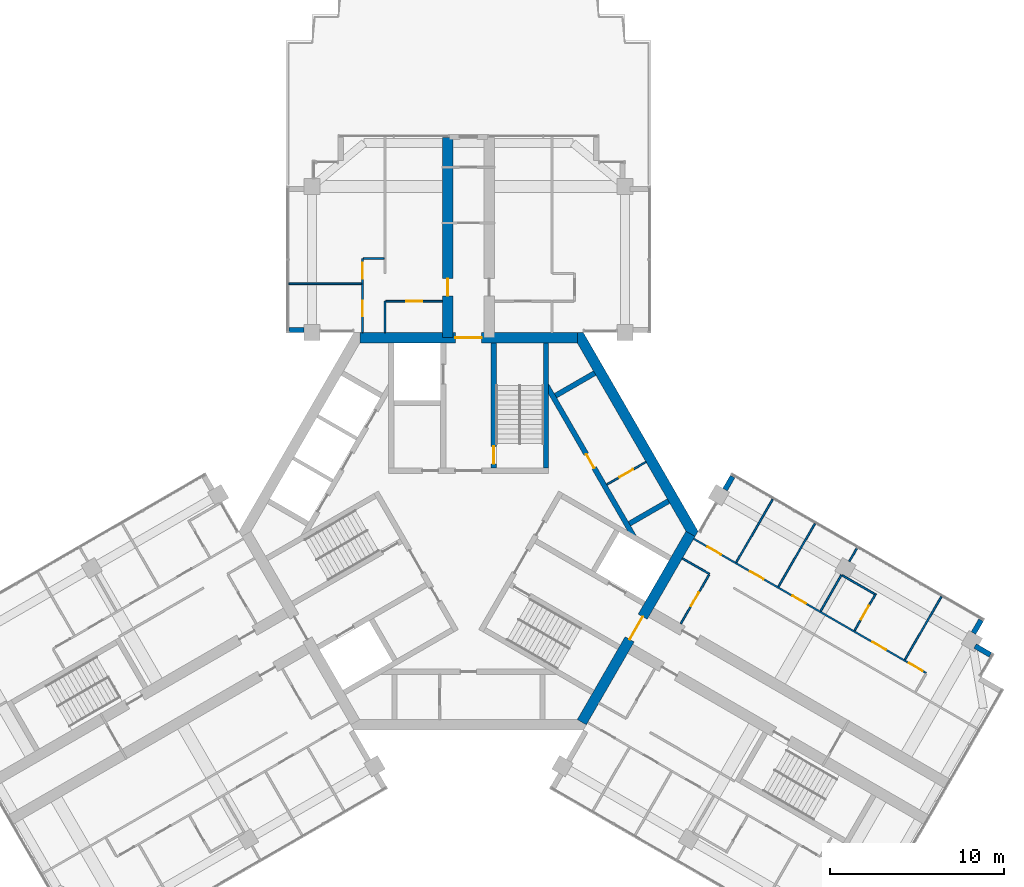
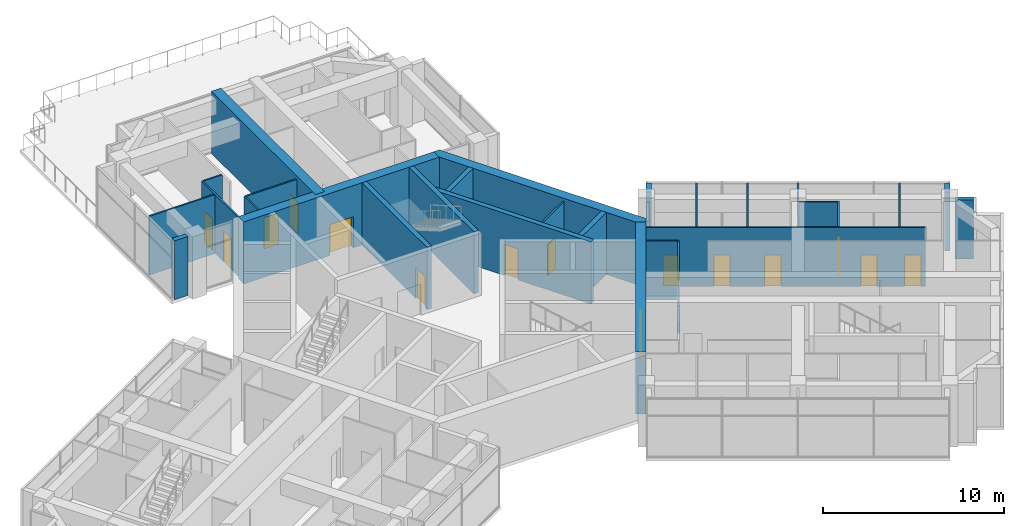
# One storey, part 13 of 15: 29 walls, 16 doors, 16 openings.
"""IFC4 building model written with IfcOpenShell, lengths in metres."""

from ifc_helpers import new_model, si_unit, direction, frame, frame_2d, origin, place, context, subcontext, project, spatial, polyline, rectangle, outline, extrude, material, layer, layer_set, type_object, element, fill, save


model = new_model("IFC4")

# Units and contexts
model_context = context("Model", 3, precision=1e-05, world=origin(), true_north=direction((0.0, 1.0)))
body_context = subcontext(model_context, "Body", "Model", "MODEL_VIEW")
ifc_project = project(units=[si_unit("LENGTHUNIT", "METRE"), si_unit("AREAUNIT", "SQUARE_METRE"), si_unit("VOLUMEUNIT", "CUBIC_METRE"), si_unit("PLANEANGLEUNIT", "RADIAN"), si_unit("MASSUNIT", "GRAM", prefix="KILO")], contexts=[model_context])

# Site, building, storey
site_placement = place(None, origin())
site = spatial("IfcSite", under=ifc_project, at=site_placement, CompositionType="ELEMENT")
building_placement = place(site_placement, origin())
building = spatial("IfcBuilding", under=site, at=building_placement, Name="Impinga Residences", CompositionType="ELEMENT")
storey_placement = place(building_placement, frame((0.0, 0.0, 274.75)))
storey = spatial("IfcBuildingStorey", under=building, at=storey_placement, Name="L69", CompositionType="ELEMENT", Elevation=274.75)

# Wall, opening, door
ifc_material_1 = material(Name="Concrete C60/75", Category="concrete")
ifc_layer_1 = layer(ifc_material_1, 0.60009765625)
ifc_layer_set_1 = layer_set([ifc_layer_1], Name="Concrete C60/75")
wall_type_1 = type_object("IfcWallType", Name="BW3 corridor buttress wall, L46 to L73 600", PredefinedType="SHEAR", material=ifc_layer_set_1)
wall_1_placement = place(storey_placement, frame((-1.199951171875, 11.131591796875, 0.0), z_axis=(0.0, 0.0, 1.0), x_axis=(0.0, 1.0, 0.0)))
wall_1 = element("IfcWall", 1, at=wall_1_placement, inside=storey, type_object=wall_type_1, Name="Corridor wall BW3 NC L69", PredefinedType="SHEAR", context=body_context, shape_type="SweptSolid", body=[
    extrude(rectangle(XDim=11.517822265625, YDim=0.60009765625, at=frame_2d((5.7587890625, 0.0))), origin(), (0.0, 0.0, 1.0), 4.199951171875),
])
opening_1_placement = place(wall_1_placement, frame((2.39990234375, 0.0, 0.0)))
opening_1 = element("IfcOpeningElement", 2, at=opening_1_placement, cuts=wall_1, Name="Opening D1", PredefinedType="OPENING", context=body_context, shape_type="SweptSolid", body=[
    extrude(rectangle(XDim=1.0, YDim=2.10009765625, at=frame_2d((0.5, 1.050048828125))), frame((0.0, 0.31005859375, 0.0), z_axis=(0.0, -1.0, 0.0), x_axis=(1.0, 0.0, 0.0)), (0.0, 0.0, 1.0), 0.6201171875),
])
ifc_material_2 = material(Name="Timber door set", Category="wood")
door_type_1 = type_object("IfcDoorType", Name="D1 apartment entrance door 1000x2100", OperationType="SINGLE_SWING_LEFT", PredefinedType="DOOR", material=ifc_material_2)
door_1_placement = place(opening_1_placement, origin())
door_1 = element("IfcDoor", 3, at=door_1_placement, inside=storey, type_object=door_type_1, Name="Apartment L69-NA1 entrance", OperationType="SINGLE_SWING_LEFT", OverallHeight=2.10009765625, OverallWidth=1.0, PredefinedType="DOOR", context=body_context, shape_type="SweptSolid", body=[
    extrude(rectangle(XDim=1.0, YDim=2.10009765625, at=frame_2d((0.5, 1.050048828125))), frame((0.0, 0.02490234375, 0.0), z_axis=(0.0, -1.0, 0.0), x_axis=(1.0, 0.0, 0.0)), (0.0, 0.0, 1.0), 0.050048828125),
])
fill(opening_1, door_1)

ifc_material_3 = material(Name="Concrete blockwork", Category="masonry")
ifc_layer_2 = layer(ifc_material_3, 0.10009765625)
ifc_layer_set_2 = layer_set([ifc_layer_2], Name="CP1 core room partition, blockwork 100")
wall_type_2 = type_object("IfcWallType", Name="CP1 core room partition, blockwork 100", PredefinedType="PARTITIONING", material=ifc_layer_set_2)
wall_2_placement = place(storey_placement, frame((7.95361328125, 2.686767578125, 0.0), z_axis=(0.0, 0.0, 1.0), x_axis=(0.866021400173, 0.500006934395, 0.0)))
wall_2 = element("IfcWall", 4, at=wall_2_placement, inside=storey, type_object=wall_type_2, Name="Core room partition, blockwork L69:CORE:mid:ZP1", PredefinedType="PARTITIONING", context=body_context, shape_type="SweptSolid", body=[
    extrude(rectangle(XDim=2.60009765625, YDim=0.10009765625, at=frame_2d((1.300048828125, 0.0))), origin(), (0.0, 0.0, 1.0), 3.97998046875),
])
opening_2_placement = place(wall_2_placement, frame((0.85009765625, 0.0, 0.0)))
opening_2 = element("IfcOpeningElement", 5, at=opening_2_placement, cuts=wall_2, Name="Opening D6", PredefinedType="OPENING", context=body_context, shape_type="SweptSolid", body=[
    extrude(rectangle(XDim=0.89990234375, YDim=2.10009765625, at=frame_2d((0.449951171875, 1.050048828125))), frame((0.0, 0.06005859375, 0.0), z_axis=(0.0, -1.0, 0.0), x_axis=(1.0, 0.0, 0.0)), (0.0, 0.0, 1.0), 0.1201171875),
])
door_type_2 = type_object("IfcDoorType", Name="D6 riser and store door 900x2100", OperationType="SINGLE_SWING_LEFT", PredefinedType="DOOR", material=ifc_material_2)
door_2_placement = place(opening_2_placement, origin())
door_2 = element("IfcDoor", 6, at=door_2_placement, inside=storey, type_object=door_type_2, Name="Linen store door", OperationType="SINGLE_SWING_LEFT", OverallHeight=2.10009765625, OverallWidth=0.89990234375, PredefinedType="DOOR", context=body_context, shape_type="SweptSolid", body=[
    extrude(rectangle(XDim=0.89990234375, YDim=2.10009765625, at=frame_2d((0.449951171875, 1.050048828125))), frame((0.0, 0.02490234375, 0.0), z_axis=(0.0, -1.0, 0.0), x_axis=(1.0, 0.0, 0.0)), (0.0, 0.0, 1.0), 0.050048828125),
])
fill(opening_2, door_2)

# Walls
ifc_material_4 = material(Name="Stone facing on blockwork", Category="masonry")
ifc_layer_3 = layer(ifc_material_4, 0.300048828125)
ifc_layer_set_3 = layer_set([ifc_layer_3], Name="EW2 external wall, stone facing on blockwork 300")
wall_type_3 = type_object("IfcWallType", Name="EW2 external wall, stone facing on blockwork 300", PredefinedType="SOLIDWALL", material=ifc_layer_set_3)
for number, where, z_axis, x_axis, name in (
    (7, (-9.452880859375, 11.58154296875, 0.0), (0.0, 0.0, 1.0), (-1.0, 0.0, 0.0), "External wall EW2 L69"),
    (8, (14.75634765625, 2.395751953125, 0.0), (0.0, 0.0, 1.0), (0.500098305348, 0.865968639725, 0.0), "External wall EW2 L69"),
    (9, (29.476806640625, -5.107666015625, 0.0), (0.0, 0.0, 1.0), (-0.499885902046, -0.866091268248, 0.0), "External wall EW2 L69"),
):
    element("IfcWall", number, at=place(storey_placement, frame(where, z_axis=z_axis, x_axis=x_axis)), inside=storey, type_object=wall_type_3, Name=name, PredefinedType="SOLIDWALL", context=body_context, shape_type="SweptSolid", body=[
        extrude(rectangle(XDim=0.862060546875, YDim=0.300048828125, at=frame_2d((0.43115234375, 0.0))), origin(), (0.0, 0.0, 1.0), 3.97998046875),
    ])
wall_3_placement = place(storey_placement, frame((29.134033203125, -6.6015625, 0.0), z_axis=(0.0, 0.0, 1.0), x_axis=(0.866073420066, -0.499916824138, 0.0)))
element("IfcWall", 10, at=wall_3_placement, inside=storey, type_object=wall_type_3, Name="External wall EW2 L69", PredefinedType="SOLIDWALL", context=body_context, shape_type="SweptSolid", body=[
    extrude(rectangle(XDim=1.014892578125, YDim=0.300048828125, at=frame_2d((0.50732421875, 0.0))), origin(), (0.0, 0.0, 1.0), 3.97998046875),
])
ifc_material_5 = material(Name="Gypsum board on steel studs", Category="steel")
ifc_layer_4 = layer(ifc_material_5, 0.10009765625)
ifc_layer_set_4 = layer_set([ifc_layer_4], Name="Gypsum board on steel studs")
wall_type_4 = type_object("IfcWallType", Name="IP1 partition 100", PredefinedType="PARTITIONING", material=ifc_layer_set_4)
wall_4_placement = place(storey_placement, frame((-4.800048828125, 11.431640625, 0.0), z_axis=(0.0, 0.0, 1.0), x_axis=(0.0, 1.0, 0.0)))
element("IfcWall", 11, at=wall_4_placement, inside=storey, type_object=wall_type_4, Name="Partition L69-NA1:DIV0", PredefinedType="PARTITIONING", context=body_context, shape_type="SweptSolid", body=[
    extrude(rectangle(XDim=1.7998046875, YDim=0.10009765625, at=frame_2d((0.89990234375, 0.0))), origin(), (0.0, 0.0, 1.0), 3.97998046875),
])

# Wall, openings, doors
wall_5_placement = place(storey_placement, frame((-6.10009765625, 11.431640625, 0.0), z_axis=(0.0, 0.0, 1.0), x_axis=(0.0, 1.0, 0.0)))
wall_5 = element("IfcWall", 12, at=wall_5_placement, inside=storey, type_object=wall_type_4, Name="Partition L69-NA1:STRIP", PredefinedType="PARTITIONING", context=body_context, shape_type="SweptSolid", body=[
    extrude(rectangle(XDim=4.25, YDim=0.10009765625, at=frame_2d((2.125, 0.0))), origin(), (0.0, 0.0, 1.0), 3.97998046875),
])
opening_3_placement = place(wall_5_placement, frame((0.925048828125, 0.0, 0.0)))
opening_3 = element("IfcOpeningElement", 13, at=opening_3_placement, cuts=wall_5, Name="Opening D2", PredefinedType="OPENING", context=body_context, shape_type="SweptSolid", body=[
    extrude(rectangle(XDim=0.89990234375, YDim=2.10009765625, at=frame_2d((0.449951171875, 1.050048828125))), frame((0.0, 0.06005859375, 0.0), z_axis=(0.0, -1.0, 0.0), x_axis=(1.0, 0.0, 0.0)), (0.0, 0.0, 1.0), 0.1201171875),
])
opening_4_placement = place(wall_5_placement, frame((3.10009765625, 0.0, 0.0)))
opening_4 = element("IfcOpeningElement", 14, at=opening_4_placement, cuts=wall_5, Name="Opening D2", PredefinedType="OPENING", context=body_context, shape_type="SweptSolid", body=[
    extrude(rectangle(XDim=0.89990234375, YDim=2.10009765625, at=frame_2d((0.449951171875, 1.050048828125))), frame((0.0, 0.06005859375, 0.0), z_axis=(0.0, -1.0, 0.0), x_axis=(1.0, 0.0, 0.0)), (0.0, 0.0, 1.0), 0.1201171875),
])
door_type_3 = type_object("IfcDoorType", Name="D2 internal door 900x2100", OperationType="SINGLE_SWING_LEFT", PredefinedType="DOOR", material=ifc_material_2)
door_3_placement = place(opening_3_placement, origin())
door_3 = element("IfcDoor", 15, at=door_3_placement, inside=storey, type_object=door_type_3, Name="Apartment L69-NA1 room door", OperationType="SINGLE_SWING_LEFT", OverallHeight=2.10009765625, OverallWidth=0.89990234375, PredefinedType="DOOR", context=body_context, shape_type="SweptSolid", body=[
    extrude(rectangle(XDim=0.89990234375, YDim=2.10009765625, at=frame_2d((0.449951171875, 1.050048828125))), frame((0.0, 0.02490234375, 0.0), z_axis=(0.0, -1.0, 0.0), x_axis=(1.0, 0.0, 0.0)), (0.0, 0.0, 1.0), 0.050048828125),
])
fill(opening_3, door_3)
door_4_placement = place(opening_4_placement, origin())
door_4 = element("IfcDoor", 16, at=door_4_placement, inside=storey, type_object=door_type_3, Name="Apartment L69-NA1 room door", OperationType="SINGLE_SWING_RIGHT", OverallHeight=2.10009765625, OverallWidth=0.89990234375, PredefinedType="DOOR", context=body_context, shape_type="SweptSolid", body=[
    extrude(rectangle(XDim=0.89990234375, YDim=2.10009765625, at=frame_2d((0.449951171875, 1.050048828125))), frame((0.0, 0.02490234375, 0.0), z_axis=(0.0, -1.0, 0.0), x_axis=(1.0, 0.0, 0.0)), (0.0, 0.0, 1.0), 0.050048828125),
])
fill(opening_4, door_4)

# Wall
wall_6_placement = place(storey_placement, frame((-4.85009765625, 15.681640625, 0.0), z_axis=(0.0, 0.0, 1.0), x_axis=(-1.0, 0.0, 0.0)))
element("IfcWall", 17, at=wall_6_placement, inside=storey, type_object=wall_type_4, Name="Partition L69-NA1:SE1", PredefinedType="PARTITIONING", context=body_context, shape_type="SweptSolid", body=[
    extrude(rectangle(XDim=1.199951171875, YDim=0.10009765625, at=frame_2d((0.60009765625, 0.0))), origin(), (0.0, 0.0, 1.0), 3.97998046875),
])

# Wall, opening, door
wall_7_placement = place(storey_placement, frame((-1.5, 13.2314453125, 0.0), z_axis=(0.0, 0.0, 1.0), x_axis=(-1.0, 0.0, 0.0)))
wall_7 = element("IfcWall", 18, at=wall_7_placement, inside=storey, type_object=wall_type_4, Name="Partition L69-NA1:IB1", PredefinedType="PARTITIONING", context=body_context, shape_type="SweptSolid", body=[
    extrude(rectangle(XDim=3.25, YDim=0.10009765625, at=frame_2d((1.625, 0.0))), origin(), (0.0, 0.0, 1.0), 3.97998046875),
])
opening_5_placement = place(wall_7_placement, frame((1.175048828125, 0.0, 0.0)))
opening_5 = element("IfcOpeningElement", 19, at=opening_5_placement, cuts=wall_7, Name="Opening D2", PredefinedType="OPENING", context=body_context, shape_type="SweptSolid", body=[
    extrude(rectangle(XDim=0.89990234375, YDim=2.10009765625, at=frame_2d((0.449951171875, 1.050048828125))), frame((0.0, 0.06005859375, 0.0), z_axis=(0.0, -1.0, 0.0), x_axis=(1.0, 0.0, 0.0)), (0.0, 0.0, 1.0), 0.1201171875),
])
door_5_placement = place(opening_5_placement, origin())
door_5 = element("IfcDoor", 20, at=door_5_placement, inside=storey, type_object=door_type_3, Name="Apartment L69-NA1 bathroom door", OperationType="SINGLE_SWING_LEFT", OverallHeight=2.10009765625, OverallWidth=0.89990234375, PredefinedType="DOOR", context=body_context, shape_type="SweptSolid", body=[
    extrude(rectangle(XDim=0.89990234375, YDim=2.10009765625, at=frame_2d((0.449951171875, 1.050048828125))), frame((0.0, 0.02490234375, 0.0), z_axis=(0.0, -1.0, 0.0), x_axis=(1.0, 0.0, 0.0)), (0.0, 0.0, 1.0), 0.050048828125),
])
fill(opening_5, door_5)

# Walls
wall_8_placement = place(storey_placement, frame((-6.14990234375, 14.2314453125, 0.0), z_axis=(0.0, 0.0, 1.0), x_axis=(-1.0, 0.0, 0.0)))
element("IfcWall", 21, at=wall_8_placement, inside=storey, type_object=wall_type_4, Name="Partition L69-NA1:OB1", PredefinedType="PARTITIONING", context=body_context, shape_type="SweptSolid", body=[
    extrude(rectangle(XDim=4.18701171875, YDim=0.10009765625, at=frame_2d((2.093505859375, 0.0))), origin(), (0.0, 0.0, 1.0), 3.97998046875),
])
wall_9_placement = place(storey_placement, frame((12.300048828125, -1.558837890625, 0.0), z_axis=(0.0, 0.0, 1.0), x_axis=(0.866047807691, -0.499961193289, 0.0)))
element("IfcWall", 22, at=wall_9_placement, inside=storey, type_object=wall_type_4, Name="Partition L69-EA1:DIV0", PredefinedType="PARTITIONING", context=body_context, shape_type="SweptSolid", body=[
    extrude(rectangle(XDim=1.800048828125, YDim=0.10009765625, at=frame_2d((0.89990234375, 0.0))), origin(), (0.0, 0.0, 1.0), 3.97998046875),
])

# Wall, openings, doors
wall_10_placement = place(storey_placement, frame((12.949951171875, -0.43310546875, 0.0), z_axis=(0.0, 0.0, 1.0), x_axis=(0.866030066916, -0.499991923133, 0.0)))
wall_10 = element("IfcWall", 23, at=wall_10_placement, inside=storey, type_object=wall_type_4, Name="Partition L69-EA1:STRIP", PredefinedType="PARTITIONING", context=body_context, shape_type="SweptSolid", body=[
    extrude(rectangle(XDim=15.449951171875, YDim=0.10009765625, at=frame_2d((7.72509765625, 0.0))), origin(), (0.0, 0.0, 1.0), 3.97998046875),
])
opening_6_placement = place(wall_10_placement, frame((0.925048828125, 0.0, 0.0)))
opening_6 = element("IfcOpeningElement", 24, at=opening_6_placement, cuts=wall_10, Name="Opening D2", PredefinedType="OPENING", context=body_context, shape_type="SweptSolid", body=[
    extrude(rectangle(XDim=0.89990234375, YDim=2.10009765625, at=frame_2d((0.449951171875, 1.050048828125))), frame((0.0, 0.06005859375, 0.0), z_axis=(0.0, -1.0, 0.0), x_axis=(1.0, 0.0, 0.0)), (0.0, 0.0, 1.0), 0.1201171875),
])
opening_7_placement = place(wall_10_placement, frame((3.75, 0.0, 0.0)))
opening_7 = element("IfcOpeningElement", 25, at=opening_7_placement, cuts=wall_10, Name="Opening D2", PredefinedType="OPENING", context=body_context, shape_type="SweptSolid", body=[
    extrude(rectangle(XDim=0.89990234375, YDim=2.10009765625, at=frame_2d((0.449951171875, 1.050048828125))), frame((0.0, 0.06005859375, 0.0), z_axis=(0.0, -1.0, 0.0), x_axis=(1.0, 0.0, 0.0)), (0.0, 0.0, 1.0), 0.1201171875),
])
opening_8_placement = place(wall_10_placement, frame((6.550048828125, 0.0, 0.0)))
opening_8 = element("IfcOpeningElement", 26, at=opening_8_placement, cuts=wall_10, Name="Opening D2", PredefinedType="OPENING", context=body_context, shape_type="SweptSolid", body=[
    extrude(rectangle(XDim=0.89990234375, YDim=2.10009765625, at=frame_2d((0.449951171875, 1.050048828125))), frame((0.0, 0.06005859375, 0.0), z_axis=(0.0, -1.0, 0.0), x_axis=(1.0, 0.0, 0.0)), (0.0, 0.0, 1.0), 0.1201171875),
])
opening_9_placement = place(wall_10_placement, frame((11.875, 0.0, 0.0)))
opening_9 = element("IfcOpeningElement", 27, at=opening_9_placement, cuts=wall_10, Name="Opening D2", PredefinedType="OPENING", context=body_context, shape_type="SweptSolid", body=[
    extrude(rectangle(XDim=0.89990234375, YDim=2.10009765625, at=frame_2d((0.449951171875, 1.050048828125))), frame((0.0, 0.06005859375, 0.0), z_axis=(0.0, -1.0, 0.0), x_axis=(1.0, 0.0, 0.0)), (0.0, 0.0, 1.0), 0.1201171875),
])
opening_10_placement = place(wall_10_placement, frame((14.300048828125, 0.0, 0.0)))
opening_10 = element("IfcOpeningElement", 28, at=opening_10_placement, cuts=wall_10, Name="Opening D2", PredefinedType="OPENING", context=body_context, shape_type="SweptSolid", body=[
    extrude(rectangle(XDim=0.89990234375, YDim=2.10009765625, at=frame_2d((0.449951171875, 1.050048828125))), frame((0.0, 0.06005859375, 0.0), z_axis=(0.0, -1.0, 0.0), x_axis=(1.0, 0.0, 0.0)), (0.0, 0.0, 1.0), 0.1201171875),
])
door_6_placement = place(opening_6_placement, origin())
door_6 = element("IfcDoor", 29, at=door_6_placement, inside=storey, type_object=door_type_3, Name="Apartment L69-EA1 room door", OperationType="SINGLE_SWING_LEFT", OverallHeight=2.10009765625, OverallWidth=0.89990234375, PredefinedType="DOOR", context=body_context, shape_type="SweptSolid", body=[
    extrude(rectangle(XDim=0.89990234375, YDim=2.10009765625, at=frame_2d((0.449951171875, 1.050048828125))), frame((0.0, 0.02490234375, 0.0), z_axis=(0.0, -1.0, 0.0), x_axis=(1.0, 0.0, 0.0)), (0.0, 0.0, 1.0), 0.050048828125),
])
fill(opening_6, door_6)
door_7_placement = place(opening_7_placement, origin())
door_7 = element("IfcDoor", 30, at=door_7_placement, inside=storey, type_object=door_type_3, Name="Apartment L69-EA1 room door", OperationType="SINGLE_SWING_LEFT", OverallHeight=2.10009765625, OverallWidth=0.89990234375, PredefinedType="DOOR", context=body_context, shape_type="SweptSolid", body=[
    extrude(rectangle(XDim=0.89990234375, YDim=2.10009765625, at=frame_2d((0.449951171875, 1.050048828125))), frame((0.0, 0.02490234375, 0.0), z_axis=(0.0, -1.0, 0.0), x_axis=(1.0, 0.0, 0.0)), (0.0, 0.0, 1.0), 0.050048828125),
])
fill(opening_7, door_7)
door_8_placement = place(opening_8_placement, origin())
door_8 = element("IfcDoor", 31, at=door_8_placement, inside=storey, type_object=door_type_3, Name="Apartment L69-EA1 room door", OperationType="SINGLE_SWING_LEFT", OverallHeight=2.10009765625, OverallWidth=0.89990234375, PredefinedType="DOOR", context=body_context, shape_type="SweptSolid", body=[
    extrude(rectangle(XDim=0.89990234375, YDim=2.10009765625, at=frame_2d((0.449951171875, 1.050048828125))), frame((0.0, 0.02490234375, 0.0), z_axis=(0.0, -1.0, 0.0), x_axis=(1.0, 0.0, 0.0)), (0.0, 0.0, 1.0), 0.050048828125),
])
fill(opening_8, door_8)
door_9_placement = place(opening_9_placement, origin())
door_9 = element("IfcDoor", 32, at=door_9_placement, inside=storey, type_object=door_type_3, Name="Apartment L69-EA1 room door", OperationType="SINGLE_SWING_RIGHT", OverallHeight=2.10009765625, OverallWidth=0.89990234375, PredefinedType="DOOR", context=body_context, shape_type="SweptSolid", body=[
    extrude(rectangle(XDim=0.89990234375, YDim=2.10009765625, at=frame_2d((0.449951171875, 1.050048828125))), frame((0.0, 0.02490234375, 0.0), z_axis=(0.0, -1.0, 0.0), x_axis=(1.0, 0.0, 0.0)), (0.0, 0.0, 1.0), 0.050048828125),
])
fill(opening_9, door_9)
door_10_placement = place(opening_10_placement, origin())
door_10 = element("IfcDoor", 33, at=door_10_placement, inside=storey, type_object=door_type_3, Name="Apartment L69-EA1 room door", OperationType="SINGLE_SWING_RIGHT", OverallHeight=2.10009765625, OverallWidth=0.89990234375, PredefinedType="DOOR", context=body_context, shape_type="SweptSolid", body=[
    extrude(rectangle(XDim=0.89990234375, YDim=2.10009765625, at=frame_2d((0.449951171875, 1.050048828125))), frame((0.0, 0.02490234375, 0.0), z_axis=(0.0, -1.0, 0.0), x_axis=(1.0, 0.0, 0.0)), (0.0, 0.0, 1.0), 0.050048828125),
])
fill(opening_10, door_10)

# Wall, opening, door
wall_11_placement = place(storey_placement, frame((12.208740234375, -5.316650390625, 0.0), z_axis=(0.0, 0.0, 1.0), x_axis=(0.500017246033, 0.866015446554, 0.0)))
wall_11 = element("IfcWall", 34, at=wall_11_placement, inside=storey, type_object=wall_type_4, Name="Partition L69-EA1:IB1", PredefinedType="PARTITIONING", context=body_context, shape_type="SweptSolid", body=[
    extrude(rectangle(XDim=3.25, YDim=0.10009765625, at=frame_2d((1.625, 0.0))), origin(), (0.0, 0.0, 1.0), 3.97998046875),
])
opening_11_placement = place(wall_11_placement, frame((1.175048828125, 0.0, 0.0)))
opening_11 = element("IfcOpeningElement", 35, at=opening_11_placement, cuts=wall_11, Name="Opening D2", PredefinedType="OPENING", context=body_context, shape_type="SweptSolid", body=[
    extrude(rectangle(XDim=0.89990234375, YDim=2.10009765625, at=frame_2d((0.449951171875, 1.050048828125))), frame((0.0, 0.06005859375, 0.0), z_axis=(0.0, -1.0, 0.0), x_axis=(1.0, 0.0, 0.0)), (0.0, 0.0, 1.0), 0.1201171875),
])
door_11_placement = place(opening_11_placement, origin())
door_11 = element("IfcDoor", 36, at=door_11_placement, inside=storey, type_object=door_type_3, Name="Apartment L69-EA1 bathroom door", OperationType="SINGLE_SWING_LEFT", OverallHeight=2.10009765625, OverallWidth=0.89990234375, PredefinedType="DOOR", context=body_context, shape_type="SweptSolid", body=[
    extrude(rectangle(XDim=0.89990234375, YDim=2.10009765625, at=frame_2d((0.449951171875, 1.050048828125))), frame((0.0, 0.02490234375, 0.0), z_axis=(0.0, -1.0, 0.0), x_axis=(1.0, 0.0, 0.0)), (0.0, 0.0, 1.0), 0.050048828125),
])
fill(opening_11, door_11)

# Walls
wall_12_placement = place(storey_placement, frame((15.39990234375, -1.789794921875, 0.0), z_axis=(0.0, 0.0, 1.0), x_axis=(0.499983227221, 0.866035087336, 0.0)))
element("IfcWall", 37, at=wall_12_placement, inside=storey, type_object=wall_type_4, Name="Partition L69-EA1:OB1", PredefinedType="PARTITIONING", context=body_context, shape_type="SweptSolid", body=[
    extrude(rectangle(XDim=4.187255859375, YDim=0.10009765625, at=frame_2d((2.09375, 0.0))), origin(), (0.0, 0.0, 1.0), 3.97998046875),
])
wall_13_placement = place(storey_placement, frame((17.82470703125, -3.189697265625, 0.0), z_axis=(0.0, 0.0, 1.0), x_axis=(0.500008475426, 0.86602051044, 0.0)))
element("IfcWall", 38, at=wall_13_placement, inside=storey, type_object=wall_type_4, Name="Partition L69-EA1:OB2", PredefinedType="PARTITIONING", context=body_context, shape_type="SweptSolid", body=[
    extrude(rectangle(XDim=4.18701171875, YDim=0.10009765625, at=frame_2d((2.093505859375, 0.0))), origin(), (0.0, 0.0, 1.0), 3.97998046875),
])
wall_14_placement = place(storey_placement, frame((20.24951171875, -4.589599609375, 0.0), z_axis=(0.0, 0.0, 1.0), x_axis=(0.500077600433, 0.865980596518, 0.0)))
element("IfcWall", 39, at=wall_14_placement, inside=storey, type_object=wall_type_4, Name="Partition L69-EA1:OB3", PredefinedType="PARTITIONING", context=body_context, shape_type="SweptSolid", body=[
    extrude(rectangle(XDim=2.39990234375, YDim=0.10009765625, at=frame_2d((1.199951171875, 0.0))), origin(), (0.0, 0.0, 1.0), 2.929931640625),
])
wall_15_placement = place(storey_placement, frame((21.899658203125, -1.73193359375, 0.0), z_axis=(0.0, 0.0, 1.0), x_axis=(0.499803706212, 0.866138704398, 0.0)))
element("IfcWall", 40, at=wall_15_placement, inside=storey, type_object=wall_type_4, Name="Partition L69-EA1:OB3b", PredefinedType="PARTITIONING", context=body_context, shape_type="SweptSolid", body=[
    extrude(rectangle(XDim=0.866943359375, YDim=0.10009765625, at=frame_2d((0.43359375, 0.0))), origin(), (0.0, 0.0, 1.0), 3.97998046875),
])
wall_16_placement = place(storey_placement, frame((25.099365234375, -7.3896484375, 0.0), z_axis=(0.0, 0.0, 1.0), x_axis=(0.500008475426, 0.86602051044, 0.0)))
element("IfcWall", 41, at=wall_16_placement, inside=storey, type_object=wall_type_4, Name="Partition L69-EA1:OB4", PredefinedType="PARTITIONING", context=body_context, shape_type="SweptSolid", body=[
    extrude(rectangle(XDim=4.18701171875, YDim=0.10009765625, at=frame_2d((2.093505859375, 0.0))), origin(), (0.0, 0.0, 1.0), 3.97998046875),
])

# Wall, opening, door
wall_17_placement = place(storey_placement, frame((22.1982421875, -5.714599609375, 0.0), z_axis=(0.0, 0.0, 1.0), x_axis=(0.499987006516, 0.866032905446, 0.0)))
wall_17 = element("IfcWall", 42, at=wall_17_placement, inside=storey, type_object=wall_type_4, Name="Partition L69-EA1:EN1", PredefinedType="PARTITIONING", context=body_context, shape_type="SweptSolid", body=[
    extrude(rectangle(XDim=2.44970703125, YDim=0.10009765625, at=frame_2d((1.224853515625, 0.0))), origin(), (0.0, 0.0, 1.0), 3.97998046875),
])
opening_12_placement = place(wall_17_placement, frame((0.75, 0.0, 0.0)))
opening_12 = element("IfcOpeningElement", 43, at=opening_12_placement, cuts=wall_17, Name="Opening D2", PredefinedType="OPENING", context=body_context, shape_type="SweptSolid", body=[
    extrude(rectangle(XDim=0.89990234375, YDim=2.10009765625, at=frame_2d((0.449951171875, 1.050048828125))), frame((0.0, 0.06005859375, 0.0), z_axis=(0.0, -1.0, 0.0), x_axis=(1.0, 0.0, 0.0)), (0.0, 0.0, 1.0), 0.1201171875),
])
door_12_placement = place(opening_12_placement, origin())
door_12 = element("IfcDoor", 44, at=door_12_placement, inside=storey, type_object=door_type_3, Name="Apartment L69-EA1 en-suite door", OperationType="SINGLE_SWING_LEFT", OverallHeight=2.10009765625, OverallWidth=0.89990234375, PredefinedType="DOOR", context=body_context, shape_type="SweptSolid", body=[
    extrude(rectangle(XDim=0.89990234375, YDim=2.10009765625, at=frame_2d((0.449951171875, 1.050048828125))), frame((0.0, 0.02490234375, 0.0), z_axis=(0.0, -1.0, 0.0), x_axis=(1.0, 0.0, 0.0)), (0.0, 0.0, 1.0), 0.050048828125),
])
fill(opening_12, door_12)

# Wall
wall_18_placement = place(storey_placement, frame((21.492919921875, -2.5361328125, 0.0), z_axis=(0.0, 0.0, 1.0), x_axis=(0.865998386012, -0.500046793234, 0.0)))
element("IfcWall", 45, at=wall_18_placement, inside=storey, type_object=wall_type_4, Name="Partition L69-EA1:EN2", PredefinedType="PARTITIONING", context=body_context, shape_type="SweptSolid", body=[
    extrude(rectangle(XDim=2.150146484375, YDim=0.10009765625, at=frame_2d((1.0751953125, 0.0))), origin(), (0.0, 0.0, 1.0), 3.97998046875),
])

# Wall, opening, door
ifc_layer_5 = layer(ifc_material_1, 0.60009765625)
ifc_layer_set_5 = layer_set([ifc_layer_5], Name="Concrete C60/75")
wall_type_5 = type_object("IfcWallType", Name="SW4 core wall, crown 600", PredefinedType="SHEAR", material=ifc_layer_set_5)
wall_19_placement = place(storey_placement, frame((-6.253662109375, 11.131591796875, 0.0), z_axis=(0.0, 0.0, 1.0), x_axis=(1.0, 0.0, 0.0)))
wall_19 = element("IfcWall", 46, at=wall_19_placement, inside=storey, type_object=wall_type_5, Name="Core wall SW4 N:FACE L69", PredefinedType="SHEAR", context=body_context, shape_type="SweptSolid", body=[
    extrude(rectangle(XDim=12.50732421875, YDim=0.60009765625, at=frame_2d((6.253662109375, 0.0))), origin(), (0.0, 0.0, 1.0), 4.199951171875),
])
opening_13_placement = place(wall_19_placement, frame((5.503662109375, 0.0, 0.0)))
opening_13 = element("IfcOpeningElement", 47, at=opening_13_placement, cuts=wall_19, Name="Opening D4", PredefinedType="OPENING", context=body_context, shape_type="SweptSolid", body=[
    extrude(rectangle(XDim=1.5, YDim=2.10009765625, at=frame_2d((0.75, 1.050048828125))), frame((0.0, 0.31005859375, 0.0), z_axis=(0.0, -1.0, 0.0), x_axis=(1.0, 0.0, 0.0)), (0.0, 0.0, 1.0), 0.6201171875),
])
door_type_4 = type_object("IfcDoorType", Name="D4 lobby door pair 1500x2100", OperationType="DOUBLE_DOOR_DOUBLE_SWING", PredefinedType="DOOR", material=ifc_material_2)
door_13_placement = place(opening_13_placement, origin())
door_13 = element("IfcDoor", 48, at=door_13_placement, inside=storey, type_object=door_type_4, Name="Lobby door N", OperationType="DOUBLE_DOOR_DOUBLE_SWING", OverallHeight=2.10009765625, OverallWidth=1.5, PredefinedType="DOOR", context=body_context, shape_type="SweptSolid", body=[
    extrude(rectangle(XDim=1.5, YDim=2.10009765625, at=frame_2d((0.75, 1.050048828125))), frame((0.0, 0.02490234375, 0.0), z_axis=(0.0, -1.0, 0.0), x_axis=(1.0, 0.0, 0.0)), (0.0, 0.0, 1.0), 0.050048828125),
])
fill(opening_13, door_13)

wall_20_placement = place(storey_placement, frame((12.76708984375, -0.14990234375, 0.0), z_axis=(0.0, 0.0, 1.0), x_axis=(-0.500004069281, -0.866023054371, 0.0)))
wall_20 = element("IfcWall", 49, at=wall_20_placement, inside=storey, type_object=wall_type_5, Name="Core wall SW4 E:FACE L69", PredefinedType="SHEAR", context=body_context, shape_type="SweptSolid", body=[
    extrude(rectangle(XDim=12.50732421875, YDim=0.60009765625, at=frame_2d((6.253662109375, 0.0))), origin(), (0.0, 0.0, 1.0), 4.199951171875),
])
opening_14_placement = place(wall_20_placement, frame((5.503662109375, 0.0, 0.0)))
opening_14 = element("IfcOpeningElement", 50, at=opening_14_placement, cuts=wall_20, Name="Opening D4", PredefinedType="OPENING", context=body_context, shape_type="SweptSolid", body=[
    extrude(rectangle(XDim=1.5, YDim=2.10009765625, at=frame_2d((0.75, 1.050048828125))), frame((0.0, 0.31005859375, 0.0), z_axis=(0.0, -1.0, 0.0), x_axis=(1.0, 0.0, 0.0)), (0.0, 0.0, 1.0), 0.6201171875),
])
door_14_placement = place(opening_14_placement, origin())
door_14 = element("IfcDoor", 51, at=door_14_placement, inside=storey, type_object=door_type_4, Name="Lobby door E", OperationType="DOUBLE_DOOR_DOUBLE_SWING", OverallHeight=2.10009765625, OverallWidth=1.5, PredefinedType="DOOR", context=body_context, shape_type="SweptSolid", body=[
    extrude(rectangle(XDim=1.5, YDim=2.10009765625, at=frame_2d((0.75, 1.050048828125))), frame((0.0, 0.02490234375, 0.0), z_axis=(0.0, -1.0, 0.0), x_axis=(1.0, 0.0, 0.0)), (0.0, 0.0, 1.0), 0.050048828125),
])
fill(opening_14, door_14)

# Wall
wall_21_placement = place(storey_placement, origin())
element("IfcWall", 52, at=wall_21_placement, inside=storey, type_object=wall_type_5, Name="Core wall SW4 W:EXPOSED L69", PredefinedType="SHEAR", context=body_context, shape_type="SweptSolid", body=[
    extrude(outline(polyline([(13.199951171875, 0.0), (6.60009765625, 11.431640625), (6.253662109375, 11.431640625), (6.253662109375, 10.83154296875), (12.507080078125, 0.0), (13.02685546875, -0.300048828125), (13.199951171875, 0.0)])), origin(), (0.0, 0.0, 1.0), 4.199951171875),
])

# Wall, opening, door
ifc_material_6 = material(Name="Concrete C70/85", Category="concrete")
ifc_layer_6 = layer(ifc_material_6, 0.300048828125)
ifc_layer_set_6 = layer_set([ifc_layer_6], Name="Concrete C70/85")
wall_type_6 = type_object("IfcWallType", Name="SW5 core inner wall, stairs, shafts and lobbies 300", PredefinedType="SHEAR", material=ifc_layer_set_6)
wall_22_placement = place(storey_placement, frame((1.449951171875, 3.6298828125, 0.0), z_axis=(0.0, 0.0, 1.0), x_axis=(0.0, 1.0, 0.0)))
wall_22 = element("IfcWall", 53, at=wall_22_placement, inside=storey, type_object=wall_type_6, Name="Core wall SW5 N:ST-IN L69", PredefinedType="SHEAR", context=body_context, shape_type="SweptSolid", body=[
    extrude(rectangle(XDim=7.20166015625, YDim=0.300048828125, at=frame_2d((3.600830078125, 0.0))), origin(), (0.0, 0.0, 1.0), 4.199951171875),
])
opening_15_placement = place(wall_22_placement, frame((0.25, 0.0, 0.0)))
opening_15 = element("IfcOpeningElement", 54, at=opening_15_placement, cuts=wall_22, Name="Opening D5", PredefinedType="OPENING", context=body_context, shape_type="SweptSolid", body=[
    extrude(rectangle(XDim=1.0, YDim=2.10009765625, at=frame_2d((0.5, 1.050048828125))), frame((0.0, 0.159912109375, 0.0), z_axis=(0.0, -1.0, 0.0), x_axis=(1.0, 0.0, 0.0)), (0.0, 0.0, 1.0), 0.320068359375),
])
door_type_5 = type_object("IfcDoorType", Name="D5 stair door 1000x2100", OperationType="SINGLE_SWING_LEFT", PredefinedType="DOOR", material=ifc_material_2)
door_15_placement = place(opening_15_placement, origin())
door_15 = element("IfcDoor", 55, at=door_15_placement, inside=storey, type_object=door_type_5, Name="Stair door N", OperationType="SINGLE_SWING_LEFT", OverallHeight=2.10009765625, OverallWidth=1.0, PredefinedType="DOOR", context=body_context, shape_type="SweptSolid", body=[
    extrude(rectangle(XDim=1.0, YDim=2.10009765625, at=frame_2d((0.5, 1.050048828125))), frame((0.0, 0.02490234375, 0.0), z_axis=(0.0, -1.0, 0.0), x_axis=(1.0, 0.0, 0.0)), (0.0, 0.0, 1.0), 0.050048828125),
])
fill(opening_15, door_15)

# Wall
wall_23_placement = place(storey_placement, frame((4.449951171875, 3.6298828125, 0.0), z_axis=(0.0, 0.0, 1.0), x_axis=(0.0, 1.0, 0.0)))
element("IfcWall", 56, at=wall_23_placement, inside=storey, type_object=wall_type_6, Name="Core wall SW5 N:ST-OUT L69", PredefinedType="SHEAR", context=body_context, shape_type="SweptSolid", body=[
    extrude(rectangle(XDim=7.20166015625, YDim=0.300048828125, at=frame_2d((3.600830078125, 0.0))), origin(), (0.0, 0.0, 1.0), 4.199951171875),
])

# Wall, opening, door
wall_24_placement = place(storey_placement, frame((4.449951171875, 8.455322265625, 0.0), z_axis=(0.0, 0.0, 1.0), x_axis=(0.500002290144, -0.866024081565, 0.0)))
wall_24 = element("IfcWall", 57, at=wall_24_placement, inside=storey, type_object=wall_type_6, Name="Core wall SW5 W:BANK-FRONT L69", PredefinedType="SHEAR", context=body_context, shape_type="SweptSolid", body=[
    extrude(rectangle(XDim=10.1953125, YDim=0.300048828125, at=frame_2d((5.09765625, 0.0))), origin(), (0.0, 0.0, 1.0), 4.199951171875),
])
opening_16_placement = place(wall_24_placement, frame((4.647705078125, 0.0, 0.0)))
opening_16 = element("IfcOpeningElement", 58, at=opening_16_placement, cuts=wall_24, Name="Opening D6", PredefinedType="OPENING", context=body_context, shape_type="SweptSolid", body=[
    extrude(rectangle(XDim=0.89990234375, YDim=2.10009765625, at=frame_2d((0.449951171875, 1.050048828125))), frame((0.0, 0.159912109375, 0.0), z_axis=(0.0, -1.0, 0.0), x_axis=(1.0, 0.0, 0.0)), (0.0, 0.0, 1.0), 0.320068359375),
])
door_16_placement = place(opening_16_placement, origin())
door_16 = element("IfcDoor", 59, at=door_16_placement, inside=storey, type_object=door_type_2, Name="Housekeeping store door", OperationType="SINGLE_SWING_RIGHT", OverallHeight=2.10009765625, OverallWidth=0.89990234375, PredefinedType="DOOR", context=body_context, shape_type="SweptSolid", body=[
    extrude(rectangle(XDim=0.89990234375, YDim=2.10009765625, at=frame_2d((0.449951171875, 1.050048828125))), frame((0.0, 0.02490234375, 0.0), z_axis=(0.0, -1.0, 0.0), x_axis=(1.0, 0.0, 0.0)), (0.0, 0.0, 1.0), 0.050048828125),
])
fill(opening_16, door_16)

# Walls
for number, where, z_axis, x_axis, name in (
    (60, (5.003662109375, 7.79638671875, 0.0), (0.0, 0.0, 1.0), (0.866021400173, 0.500006934395, 0.0), "Core wall SW5 W:BANK-L L69"),
    (61, (9.253662109375, 0.43505859375, 0.0), (0.0, 0.0, 1.0), (0.866021400173, 0.500006934395, 0.0), "Core wall SW5 W:BANK-R L69"),
):
    element("IfcWall", number, at=place(storey_placement, frame(where, z_axis=z_axis, x_axis=x_axis)), inside=storey, type_object=wall_type_6, Name=name, PredefinedType="SHEAR", context=body_context, shape_type="SweptSolid", body=[
        extrude(rectangle(XDim=2.60009765625, YDim=0.300048828125, at=frame_2d((1.300048828125, 0.0))), origin(), (0.0, 0.0, 1.0), 4.199951171875),
    ])

save(model, "model.ifc")
